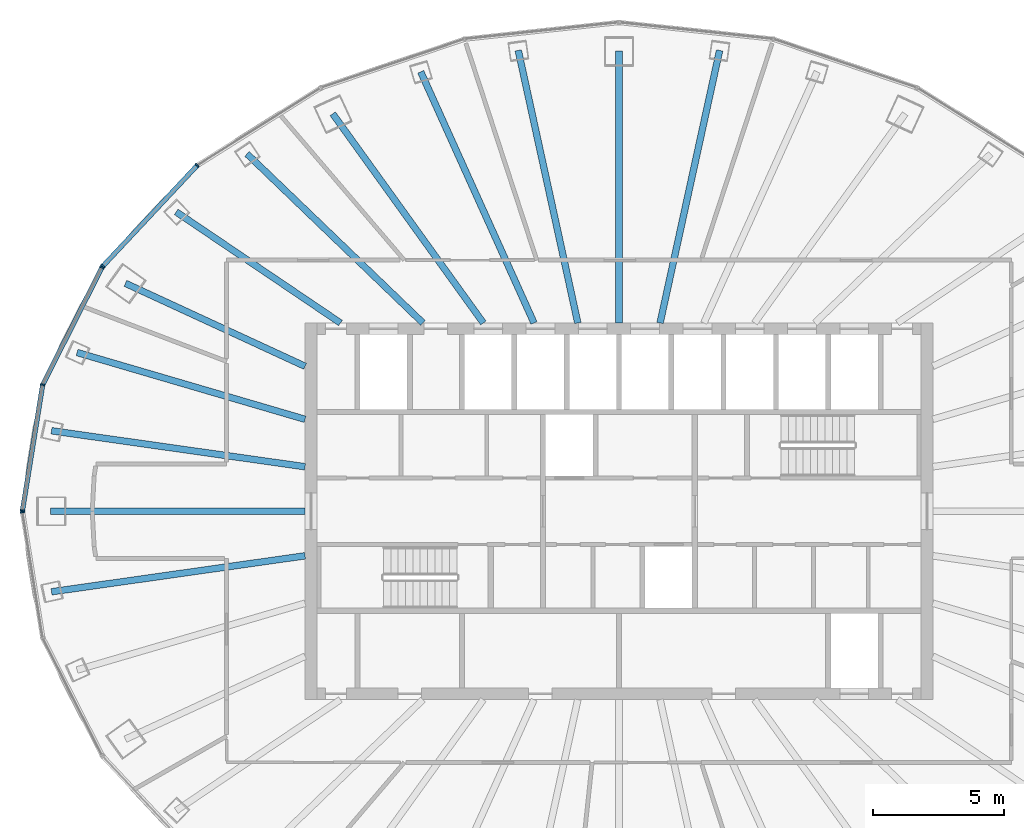
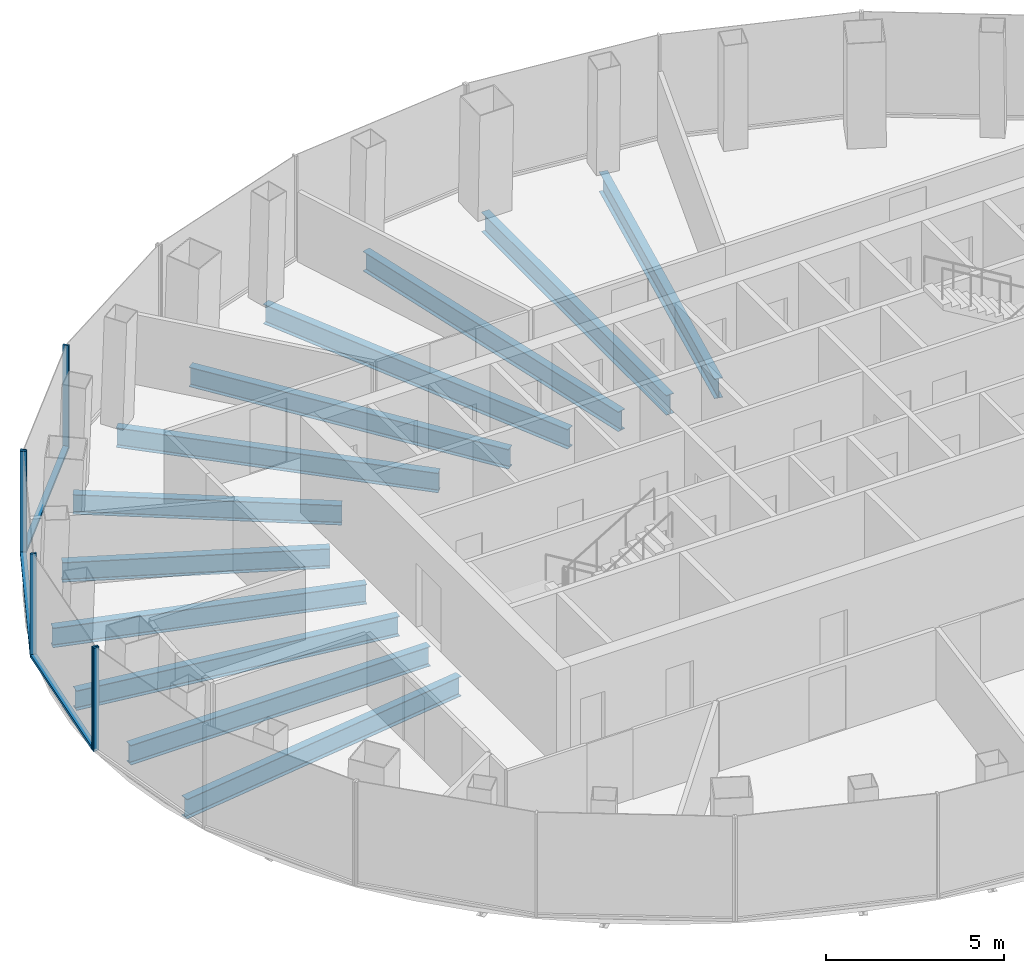
# One storey, part 4 of 11: 12 beams, 9 members, 3 elements without a shape of their own.
"""IFC4 building model written with IfcOpenShell, lengths in metres."""

from ifc_helpers import new_model, si_unit, direction, frame, origin, origin_2d, place, context, subcontext, project, spatial, rectangle, i_section, extrude, material, layer, layer_set, material_profile, profile_set, type_object, element, aggregate, save


model = new_model("IFC4")

# Units and contexts
model_context = context("Model", 3, precision=1e-05, world=origin(), true_north=direction((0.0, 1.0)))
body_context = subcontext(model_context, "Body", "Model", "MODEL_VIEW")
ifc_project = project(units=[si_unit("LENGTHUNIT", "METRE"), si_unit("AREAUNIT", "SQUARE_METRE"), si_unit("VOLUMEUNIT", "CUBIC_METRE"), si_unit("PLANEANGLEUNIT", "RADIAN"), si_unit("MASSUNIT", "GRAM", prefix="KILO")], contexts=[model_context])

# Site, building, storey
site_placement = place(None, origin())
site = spatial("IfcSite", under=ifc_project, at=site_placement, CompositionType="ELEMENT")
building_placement = place(site_placement, origin())
building = spatial("IfcBuilding", under=site, at=building_placement, Name="Siaravel Broadcast Tower", CompositionType="ELEMENT")
storey_placement = place(building_placement, frame((0.0, 0.0, 194.10009765625)))
storey = spatial("IfcBuildingStorey", under=building, at=storey_placement, Name="L47", CompositionType="ELEMENT", Elevation=194.10009765625)

# Beams
ifc_material_1 = material(Name="Steel S355", Category="steel")
ifc_material_profile_1 = material_profile(ifc_material_1, i_section(OverallWidth=0.2529296875, OverallDepth=0.677978515625, WebThickness=0.01171875, FlangeThickness=0.01611328125, FilletRadius=0.01513671875, at=origin_2d()))
ifc_profile_set_1 = profile_set([ifc_material_profile_1], Name="Steel S355")
beam_type = type_object("IfcBeamType", Name="BM-UB 686x254x125", PredefinedType="BEAM", material=ifc_profile_set_1)
beam_1_placement = place(storey_placement, frame((3.84912109375, 17.619873046875, -0.489013671875), z_axis=(-0.21342927, -0.976958519, 0.0), x_axis=(0.976958519, -0.21342927, 0.0)))
element("IfcBeam", 1, at=beam_1_placement, inside=storey, type_object=beam_type, Name="Radial beam RB09", PredefinedType="BEAM", context=body_context, shape_type="SweptSolid", body=[
    extrude(i_section(OverallWidth=0.2529296875, OverallDepth=0.677978515625, WebThickness=0.01171875, FlangeThickness=0.01611328125, FilletRadius=0.01513671875, at=origin_2d()), origin(), (0.0, 0.0, 1.0), 10.665771484375),
])
beam_2_placement = place(storey_placement, frame((0.0, 17.595703125, -0.489013671875), z_axis=(0.0, -1.0, 0.0), x_axis=(1.0, 0.0, 0.0)))
element("IfcBeam", 2, at=beam_2_placement, inside=storey, type_object=beam_type, Name="Radial beam RB10", PredefinedType="BEAM", context=body_context, shape_type="SweptSolid", body=[
    extrude(i_section(OverallWidth=0.2529296875, OverallDepth=0.677978515625, WebThickness=0.01171875, FlangeThickness=0.01611328125, FilletRadius=0.01513671875, at=origin_2d()), origin(), (0.0, 0.0, 1.0), 10.395751953125),
])
beam_3_placement = place(storey_placement, frame((-3.84912109375, 17.619873046875, -0.489013671875), z_axis=(0.21342927, -0.976958519, 0.0), x_axis=(0.976958519, 0.21342927, 0.0)))
element("IfcBeam", 3, at=beam_3_placement, inside=storey, type_object=beam_type, Name="Radial beam RB11", PredefinedType="BEAM", context=body_context, shape_type="SweptSolid", body=[
    extrude(i_section(OverallWidth=0.2529296875, OverallDepth=0.677978515625, WebThickness=0.01171875, FlangeThickness=0.01611328125, FilletRadius=0.01513671875, at=origin_2d()), origin(), (0.0, 0.0, 1.0), 10.665771484375),
])
beam_4_placement = place(storey_placement, frame((-7.577880859375, 16.801513671875, -0.489013671875), z_axis=(0.411143254, -0.911570746, 0.0), x_axis=(0.911570746, 0.411143254, 0.0)))
element("IfcBeam", 4, at=beam_4_placement, inside=storey, type_object=beam_type, Name="Radial beam RB12", PredefinedType="BEAM", context=body_context, shape_type="SweptSolid", body=[
    extrude(i_section(OverallWidth=0.2529296875, OverallDepth=0.677978515625, WebThickness=0.01171875, FlangeThickness=0.01611328125, FilletRadius=0.01513671875, at=origin_2d()), origin(), (0.0, 0.0, 1.0), 10.532958984375),
])
beam_5_placement = place(storey_placement, frame((-10.94189453125, 15.196533203125, -0.489013671875), z_axis=(0.584323001, -0.811521183, 0.0), x_axis=(0.811521183, 0.584323001, 0.0)))
element("IfcBeam", 5, at=beam_5_placement, inside=storey, type_object=beam_type, Name="Radial beam RB13", PredefinedType="BEAM", context=body_context, shape_type="SweptSolid", body=[
    extrude(i_section(OverallWidth=0.2529296875, OverallDepth=0.677978515625, WebThickness=0.01171875, FlangeThickness=0.01611328125, FilletRadius=0.01513671875, at=origin_2d()), origin(), (0.0, 0.0, 1.0), 9.853759765625),
])
beam_6_placement = place(storey_placement, frame((-14.218017578125, 13.662353515625, -0.489013671875), z_axis=(0.72104932, -0.69288374, 0.0), x_axis=(0.69288374, 0.72104932, 0.0)))
element("IfcBeam", 6, at=beam_6_placement, inside=storey, type_object=beam_type, Name="Radial beam RB14", PredefinedType="BEAM", context=body_context, shape_type="SweptSolid", body=[
    extrude(i_section(OverallWidth=0.2529296875, OverallDepth=0.677978515625, WebThickness=0.01171875, FlangeThickness=0.01611328125, FilletRadius=0.01513671875, at=origin_2d()), origin(), (0.0, 0.0, 1.0), 9.326904296875),
])
beam_7_placement = place(storey_placement, frame((-16.925537109375, 11.44482421875, -0.489013671875), z_axis=(0.828389379, -0.560152691, 0.0), x_axis=(0.560152691, 0.828389379, 0.0)))
element("IfcBeam", 7, at=beam_7_placement, inside=storey, type_object=beam_type, Name="Radial beam RB15", PredefinedType="BEAM", context=body_context, shape_type="SweptSolid", body=[
    extrude(i_section(OverallWidth=0.2529296875, OverallDepth=0.677978515625, WebThickness=0.01171875, FlangeThickness=0.01611328125, FilletRadius=0.01513671875, at=origin_2d()), origin(), (0.0, 0.0, 1.0), 7.578125),
])
beam_8_placement = place(storey_placement, frame((-18.8671875, 8.714111328125, -0.489013671875), z_axis=(0.907850719, -0.41929354, 0.0), x_axis=(0.41929354, 0.907850719, 0.0)))
element("IfcBeam", 8, at=beam_8_placement, inside=storey, type_object=beam_type, Name="Radial beam RB16", PredefinedType="BEAM", context=body_context, shape_type="SweptSolid", body=[
    extrude(i_section(OverallWidth=0.2529296875, OverallDepth=0.677978515625, WebThickness=0.01171875, FlangeThickness=0.01611328125, FilletRadius=0.01513671875, at=origin_2d()), origin(), (0.0, 0.0, 1.0), 7.564208984375),
])
beam_9_placement = place(storey_placement, frame((-20.716796875, 6.069580078125, -0.489013671875), z_axis=(0.959657308, -0.28117228, 0.0), x_axis=(0.28117228, 0.959657308, 0.0)))
element("IfcBeam", 9, at=beam_9_placement, inside=storey, type_object=beam_type, Name="Radial beam RB17", PredefinedType="BEAM", context=body_context, shape_type="SweptSolid", body=[
    extrude(i_section(OverallWidth=0.2529296875, OverallDepth=0.677978515625, WebThickness=0.01171875, FlangeThickness=0.01611328125, FilletRadius=0.01513671875, at=origin_2d()), origin(), (0.0, 0.0, 1.0), 9.083251953125),
])
beam_10_placement = place(storey_placement, frame((-21.695556640625, 3.078125, -0.489013671875), z_axis=(0.990082682, -0.140485884, 0.0), x_axis=(0.140485884, 0.990082682, 0.0)))
element("IfcBeam", 10, at=beam_10_placement, inside=storey, type_object=beam_type, Name="Radial beam RB18", PredefinedType="BEAM", context=body_context, shape_type="SweptSolid", body=[
    extrude(i_section(OverallWidth=0.2529296875, OverallDepth=0.677978515625, WebThickness=0.01171875, FlangeThickness=0.01611328125, FilletRadius=0.01513671875, at=origin_2d()), origin(), (0.0, 0.0, 1.0), 9.792724609375),
])
beam_11_placement = place(storey_placement, frame((-21.724365234375, 0.0, -0.489013671875), z_axis=(1.0, 0.0, 0.0), x_axis=(0.0, 1.0, 0.0)))
element("IfcBeam", 11, at=beam_11_placement, inside=storey, type_object=beam_type, Name="Radial beam RB19", PredefinedType="BEAM", context=body_context, shape_type="SweptSolid", body=[
    extrude(i_section(OverallWidth=0.2529296875, OverallDepth=0.677978515625, WebThickness=0.01171875, FlangeThickness=0.01611328125, FilletRadius=0.01513671875, at=origin_2d()), origin(), (0.0, 0.0, 1.0), 9.724365234375),
])
beam_12_placement = place(storey_placement, frame((-21.695556640625, -3.078125, -0.489013671875), z_axis=(0.990082682, 0.140485884, 0.0), x_axis=(-0.140485884, 0.990082682, 0.0)))
element("IfcBeam", 12, at=beam_12_placement, inside=storey, type_object=beam_type, Name="Radial beam RB20", PredefinedType="BEAM", context=body_context, shape_type="SweptSolid", body=[
    extrude(i_section(OverallWidth=0.2529296875, OverallDepth=0.677978515625, WebThickness=0.01171875, FlangeThickness=0.01611328125, FilletRadius=0.01513671875, at=origin_2d()), origin(), (0.0, 0.0, 1.0), 9.792724609375),
])

# Curtain wall, members
ifc_material_2 = material(Name="Aluminium 6063-T6", Category="aluminium")
ifc_layer = layer(ifc_material_2, 0.179931640625)
ifc_layer_set = layer_set([ifc_layer], Name="Aluminium 6063-T6")
curtain_wall_type = type_object("IfcCurtainWallType", Name="Unitised curtain wall, zone 3", PredefinedType="NOTDEFINED", material=ifc_layer_set)
curtain_wall_1_placement = place(storey_placement, origin())
curtain_wall_1 = element("IfcCurtainWall", 13, at=curtain_wall_1_placement, inside=storey, type_object=curtain_wall_type, Name="L47 Unitised curtain wall, zone 3 05", PredefinedType="NOTDEFINED")
ifc_material_profile_2 = material_profile(ifc_material_2, rectangle(XDim=0.179931640625, YDim=0.06005859375, at=origin_2d()))
ifc_profile_set_2 = profile_set([ifc_material_profile_2], Name="Aluminium 6063-T6")
member_type_1 = type_object("IfcMemberType", Name="CW-Z3 mullion", PredefinedType="MULLION", material=ifc_profile_set_2)
member_1_placement = place(storey_placement, frame((-16.12548828125, 13.221435546875, 0.0), z_axis=(0.0, 0.0, 1.0), x_axis=(0.636218507, -0.771508918, 0.0)))
member_1 = element("IfcMember", 14, at=member_1_placement, type_object=member_type_1, Name="CW-Z3 mullion 2", PredefinedType="MULLION", context=body_context, shape_type="SweptSolid", body=[
    extrude(rectangle(XDim=0.179931640625, YDim=0.06005859375, at=origin_2d()), origin(), (0.0, 0.0, 1.0), 3.5498046875),
])
member_2_placement = place(storey_placement, frame((-19.7314453125, 9.372314453125, 0.0), z_axis=(0.0, 0.0, 1.0), x_axis=(0.729805157, -0.6836552, 0.0)))
member_2 = element("IfcMember", 15, at=member_2_placement, type_object=member_type_1, Name="CW-Z3 mullion 3", PredefinedType="MULLION", context=body_context, shape_type="SweptSolid", body=[
    extrude(rectangle(XDim=0.179931640625, YDim=0.06005859375, at=origin_2d()), origin(), (0.0, 0.0, 1.0), 3.5498046875),
])

curtain_wall_2_placement = place(storey_placement, origin())
curtain_wall_2 = element("IfcCurtainWall", 16, at=curtain_wall_2_placement, inside=storey, type_object=curtain_wall_type, Name="L47 Unitised curtain wall, zone 3 06", PredefinedType="NOTDEFINED")
member_3_placement = place(storey_placement, frame((-19.765380859375, 9.323486328125, 0.0), z_axis=(0.0, 0.0, 1.0), x_axis=(0.892392092, -0.45126085, 0.0)))
member_3 = element("IfcMember", 17, at=member_3_placement, type_object=member_type_1, Name="CW-Z3 mullion 1", PredefinedType="MULLION", context=body_context, shape_type="SweptSolid", body=[
    extrude(rectangle(XDim=0.179931640625, YDim=0.06005859375, at=origin_2d()), origin(), (0.0, 0.0, 1.0), 3.5498046875),
])
member_4_placement = place(storey_placement, frame((-22.0322265625, 4.8408203125, 0.0), z_axis=(0.0, 0.0, 1.0), x_axis=(0.951177224, -0.308645247, 0.0)))
member_4 = element("IfcMember", 18, at=member_4_placement, type_object=member_type_1, Name="CW-Z3 mullion 2", PredefinedType="MULLION", context=body_context, shape_type="SweptSolid", body=[
    extrude(rectangle(XDim=0.179931640625, YDim=0.06005859375, at=origin_2d()), origin(), (0.0, 0.0, 1.0), 3.5498046875),
])
member_5_placement = place(storey_placement, frame((-22.805419921875, 0.029541015625, 0.0), z_axis=(0.0, 0.0, 1.0), x_axis=(0.987329188, -0.158685461, 0.0)))
member_5 = element("IfcMember", 19, at=member_5_placement, type_object=member_type_1, Name="CW-Z3 mullion 3", PredefinedType="MULLION", context=body_context, shape_type="SweptSolid", body=[
    extrude(rectangle(XDim=0.179931640625, YDim=0.06005859375, at=origin_2d()), origin(), (0.0, 0.0, 1.0), 3.5498046875),
])

# Curtain wall, member
curtain_wall_3_placement = place(storey_placement, origin())
curtain_wall_3 = element("IfcCurtainWall", 20, at=curtain_wall_3_placement, inside=storey, type_object=curtain_wall_type, Name="L47 Unitised curtain wall, zone 3 07", PredefinedType="NOTDEFINED")
member_6_placement = place(storey_placement, frame((-22.805419921875, -0.029541015625, 0.0), z_axis=(0.0, 0.0, 1.0), x_axis=(0.987329188, 0.158685461, 0.0)))
member_6 = element("IfcMember", 21, at=member_6_placement, type_object=member_type_1, Name="CW-Z3 mullion 1", PredefinedType="MULLION", context=body_context, shape_type="SweptSolid", body=[
    extrude(rectangle(XDim=0.179931640625, YDim=0.06005859375, at=origin_2d()), origin(), (0.0, 0.0, 1.0), 3.5498046875),
])
aggregate(curtain_wall_3, [member_6])

# Member
ifc_material_profile_3 = material_profile(ifc_material_2, rectangle(XDim=0.179931640625, YDim=0.10009765625, at=origin_2d()))
ifc_profile_set_3 = profile_set([ifc_material_profile_3], Name="Aluminium 6063-T6")
member_type_2 = type_object("IfcMemberType", Name="CW-Z3 transom", PredefinedType="USERDEFINED", material=ifc_profile_set_3)
member_7_placement = place(storey_placement, frame((-16.146240234375, 13.199462890625, 0.0498046875), z_axis=(-0.683645131, -0.72981459, 0.0), x_axis=(0.72981459, -0.683645131, 0.0)))
member_7 = element("IfcMember", 22, at=member_7_placement, type_object=member_type_2, Name="CW-Z3 transom 2", ObjectType="TRANSOM", PredefinedType="USERDEFINED", context=body_context, shape_type="SweptSolid", body=[
    extrude(rectangle(XDim=0.179931640625, YDim=0.10009765625, at=origin_2d()), origin(), (0.0, 0.0, 1.0), 5.2138671875),
])

aggregate(curtain_wall_1, [member_1, member_2, member_7])

member_8_placement = place(storey_placement, frame((-19.77880859375, 9.296875, 0.0498046875), z_axis=(-0.45128156, -0.892381619, 0.0), x_axis=(0.892381619, -0.45128156, 0.0)))
member_8 = element("IfcMember", 23, at=member_8_placement, type_object=member_type_2, Name="CW-Z3 transom 1", ObjectType="TRANSOM", PredefinedType="USERDEFINED", context=body_context, shape_type="SweptSolid", body=[
    extrude(rectangle(XDim=0.179931640625, YDim=0.10009765625, at=origin_2d()), origin(), (0.0, 0.0, 1.0), 4.963623046875),
])

member_9_placement = place(storey_placement, frame((-22.037109375, 4.81103515625, 0.0498046875), z_axis=(-0.158671031, -0.987331507, 0.0), x_axis=(0.987331507, -0.158671031, 0.0)))
member_9 = element("IfcMember", 24, at=member_9_placement, type_object=member_type_2, Name="CW-Z3 transom 2", ObjectType="TRANSOM", PredefinedType="USERDEFINED", context=body_context, shape_type="SweptSolid", body=[
    extrude(rectangle(XDim=0.179931640625, YDim=0.10009765625, at=origin_2d()), origin(), (0.0, 0.0, 1.0), 4.81298828125),
])

aggregate(curtain_wall_2, [member_3, member_4, member_5, member_8, member_9])

save(model, "model.ifc")
